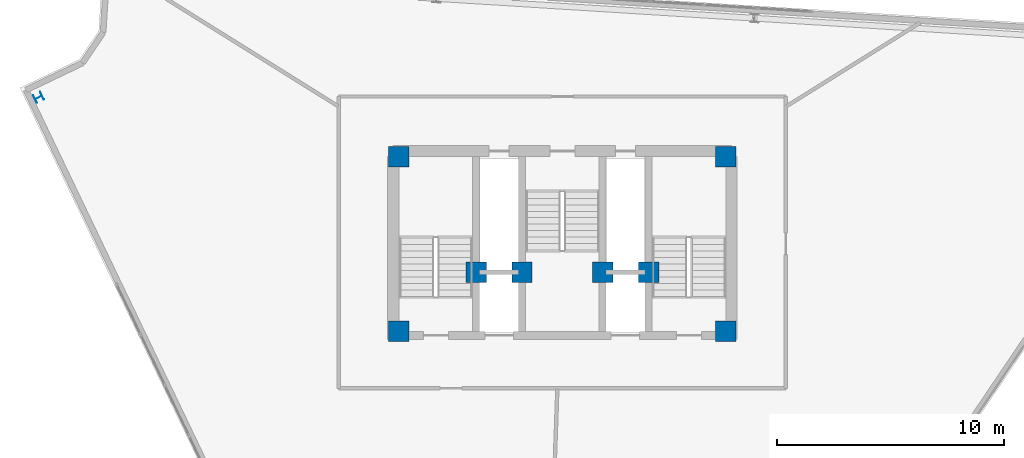
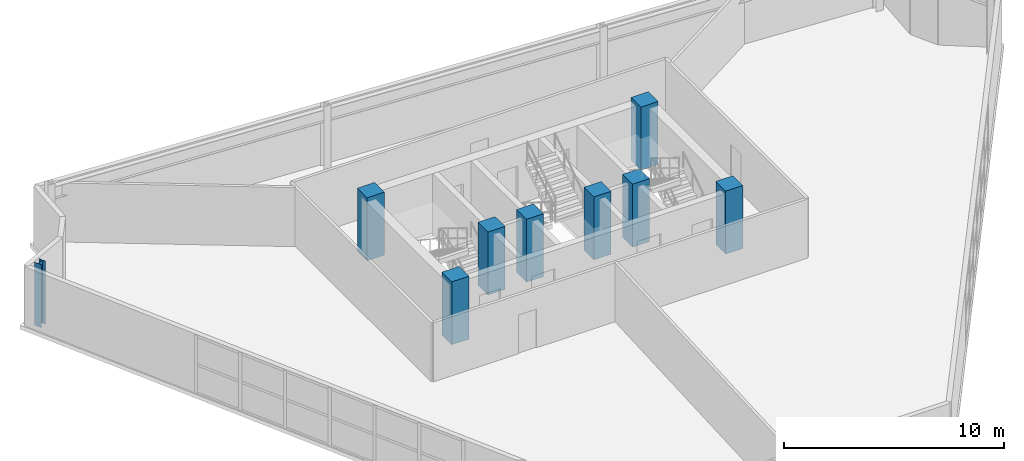
# One storey, part 1 of 8: 9 columns.
"""IFC4 building model written with IfcOpenShell, lengths in metres."""

from ifc_helpers import new_model, si_unit, direction, frame, origin, origin_2d, place, context, subcontext, project, spatial, rectangle, i_section, extrude, material, material_profile, profile_set, type_object, element, save


model = new_model("IFC4")

# Units and contexts
model_context = context("Model", 3, precision=1e-05, world=origin(), true_north=direction((0.0, 1.0)))
body_context = subcontext(model_context, "Body", "Model", "MODEL_VIEW")
ifc_project = project(units=[si_unit("LENGTHUNIT", "METRE"), si_unit("AREAUNIT", "SQUARE_METRE"), si_unit("VOLUMEUNIT", "CUBIC_METRE"), si_unit("PLANEANGLEUNIT", "RADIAN"), si_unit("MASSUNIT", "GRAM", prefix="KILO")], contexts=[model_context])

# Site, building, storey
site_placement = place(None, origin())
site = spatial("IfcSite", under=ifc_project, at=site_placement, CompositionType="ELEMENT")
building_placement = place(site_placement, origin())
building = spatial("IfcBuilding", under=site, at=building_placement, Name="Apsidion Concourse Tower", CompositionType="ELEMENT")
storey_placement = place(building_placement, frame((0.0, 0.0, 332.5)))
storey = spatial("IfcBuildingStorey", under=building, at=storey_placement, Name="L78", CompositionType="ELEMENT", Elevation=332.5)

# Columns
ifc_material_1 = material(Name="Concrete C50/60", Category="concrete")
ifc_material_profile_1 = material_profile(ifc_material_1, rectangle(XDim=0.89990234375, YDim=0.89990234375, at=origin_2d()), Name="RC 900x900")
ifc_profile_set_1 = profile_set([ifc_material_profile_1], Name="Concrete C50/60")
column_type_1 = type_object("IfcColumnType", Name="COL-RC-900", PredefinedType="COLUMN", material=ifc_profile_set_1)
for number, where, z_axis, x_axis, name in (
    (1, (7.199951171875, 1.449951171875, 0.0), (0.0, 0.0, 1.0), (1.0, 0.0, 0.0), "L78 Core Super-Column SC3"),
    (2, (7.199951171875, 9.14990234375, 0.0), (0.0, 0.0, 1.0), (1.0, 0.0, 0.0), "L78 Core Super-Column SC4"),
    (3, (-7.199951171875, 9.14990234375, 0.0), (0.0, 0.0, 1.0), (1.0, 0.0, 0.0), "L78 Core Super-Column SC5"),
    (4, (-7.199951171875, 1.449951171875, 0.0), (0.0, 0.0, 1.0), (1.0, 0.0, 0.0), "L78 Core Super-Column SC6"),
    (5, (-3.800048828125, 4.050048828125, 0.0), (0.0, 0.0, 1.0), (1.0, 0.0, 0.0), "L78 Core Super-Column CC1"),
    (6, (3.800048828125, 4.050048828125, 0.0), (0.0, 0.0, 1.0), (1.0, 0.0, 0.0), "L78 Core Super-Column CC2"),
    (7, (-1.77490234375, 4.050048828125, 0.0), (0.0, 0.0, 1.0), (1.0, 0.0, 0.0), "L78 Core Super-Column CC3"),
    (8, (1.77490234375, 4.050048828125, 0.0), (0.0, 0.0, 1.0), (1.0, 0.0, 0.0), "L78 Core Super-Column CC4"),
):
    element("IfcColumn", number, at=place(storey_placement, frame(where, z_axis=z_axis, x_axis=x_axis)), inside=storey, type_object=column_type_1, Name=name, PredefinedType="COLUMN", context=body_context, shape_type="SweptSolid", body=[
        extrude(rectangle(XDim=0.89990234375, YDim=0.89990234375, at=origin_2d()), origin(), (0.0, 0.0, 1.0), 3.5),
    ])
ifc_material_2 = material(Name="Structural steel ASTM A992 Grade 50", Category="steel")
ifc_material_profile_2 = material_profile(ifc_material_2, i_section(OverallWidth=0.367919921875, OverallDepth=0.35595703125, WebThickness=0.01123046875, FlangeThickness=0.01806640625, at=origin_2d()), Name="W14X90")
ifc_profile_set_2 = profile_set([ifc_material_profile_2], Name="Structural steel ASTM A992 Grade 50")
column_type_2 = type_object("IfcColumnType", Name="COL-W14-90", PredefinedType="COLUMN", material=ifc_profile_set_2)
column_placement = place(storey_placement, frame((-23.0732421875, 11.758544921875, 0.0), z_axis=(0.0, 0.0, 1.0), x_axis=(-0.431298587031, 0.902209248913, 0.0)))
element("IfcColumn", 9, at=column_placement, inside=storey, type_object=column_type_2, Name="L78 Rotated Perimeter Column PC01", PredefinedType="COLUMN", context=body_context, shape_type="SweptSolid", body=[
    extrude(i_section(OverallWidth=0.367919921875, OverallDepth=0.35595703125, WebThickness=0.01123046875, FlangeThickness=0.01806640625, at=origin_2d()), origin(), (0.0, 0.0, 1.0), 3.5),
])

save(model, "model.ifc")
